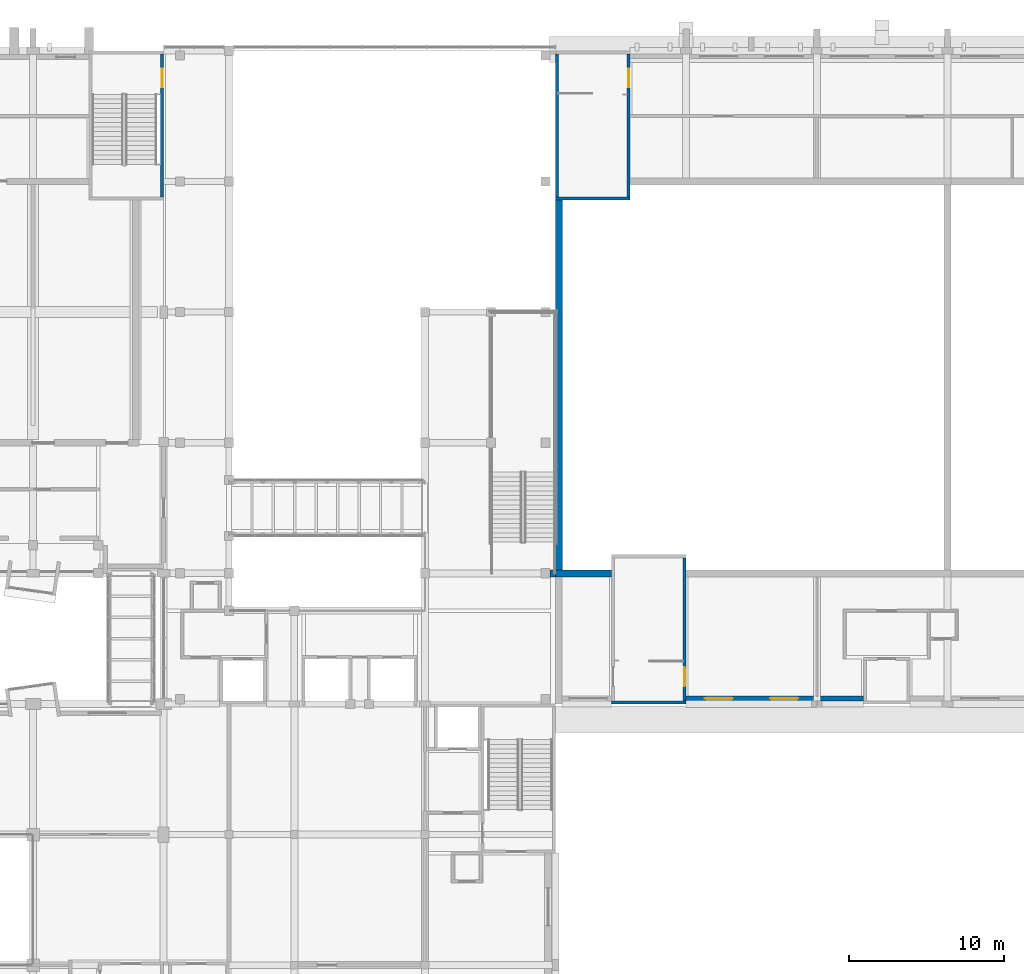
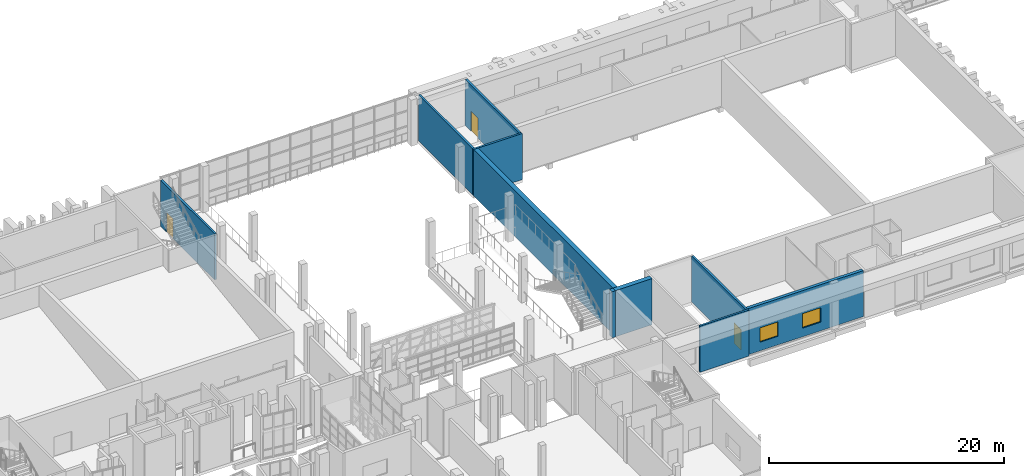
# One storey, part 46 of 86: 10 walls, 3 doors, 2 windows, 5 openings.
"""IFC4 building model written with IfcOpenShell, lengths in metres."""

from ifc_helpers import new_model, si_unit, direction, frame, frame_2d, origin, place, context, subcontext, project, spatial, rectangle, extrude, material, layer, layer_set, type_object, element, fill, save


model = new_model("IFC4")

# Units and contexts
model_context = context("Model", 3, precision=1e-05, world=origin(), true_north=direction((0.0, 1.0)))
body_context = subcontext(model_context, "Body", "Model", "MODEL_VIEW")
ifc_project = project(units=[si_unit("LENGTHUNIT", "METRE"), si_unit("AREAUNIT", "SQUARE_METRE"), si_unit("VOLUMEUNIT", "CUBIC_METRE"), si_unit("PLANEANGLEUNIT", "RADIAN"), si_unit("MASSUNIT", "GRAM", prefix="KILO")], contexts=[model_context])

# Site, building, storey
site_placement = place(None, origin())
site = spatial("IfcSite", under=ifc_project, at=site_placement, CompositionType="ELEMENT")
building_placement = place(site_placement, origin())
building = spatial("IfcBuilding", under=site, at=building_placement, Name="Kiln Court Media Centre", CompositionType="ELEMENT")
storey_placement = place(building_placement, frame((0.0, 0.0, 10.199951171875)))
storey = spatial("IfcBuildingStorey", under=building, at=storey_placement, Name="L02", CompositionType="ELEMENT", Elevation=10.199951171875)

# Walls
ifc_material_1 = material(Name="Concrete C40/50", Category="concrete")
ifc_layer_1 = layer(ifc_material_1, 0.35009765625)
ifc_layer_set_1 = layer_set([ifc_layer_1], Name="Concrete C40/50 auditorium wall 350")
wall_type_1 = type_object("IfcWallType", Name="Concrete C40/50 auditorium wall 350", PredefinedType="SHEAR", material=ifc_layer_set_1)
wall_1_placement = place(storey_placement, frame((58.625, 33.375, 0.0), z_axis=(0.0, 0.0, 1.0), x_axis=(0.0, 1.0, 0.0)))
element("IfcWall", 1, at=wall_1_placement, inside=storey, type_object=wall_type_1, Name="L02-W-1153", PredefinedType="SHEAR", context=body_context, shape_type="SweptSolid", body=[
    extrude(rectangle(XDim=0.449951171875, YDim=0.35009765625, at=frame_2d((0.22509765625, 0.0))), origin(), (0.0, 0.0, 1.0), 4.800048828125),
])
ifc_material_2 = material(Name="Concrete C40/50", Category="concrete")
ifc_layer_2 = layer(ifc_material_2, 0.449951171875)
ifc_layer_set_2 = layer_set([ifc_layer_2], Name="Concrete C40/50 auditorium wall 450")
wall_type_2 = type_object("IfcWallType", Name="Concrete C40/50 auditorium wall 450", PredefinedType="SHEAR", material=ifc_layer_set_2)
wall_2_placement = place(storey_placement, frame((62.39990234375, 33.60009765625, 0.0), z_axis=(0.0, 0.0, 1.0), x_axis=(-1.0, 0.0, 0.0)))
element("IfcWall", 2, at=wall_2_placement, inside=storey, type_object=wall_type_2, Name="L02-W-1110", PredefinedType="SHEAR", context=body_context, shape_type="SweptSolid", body=[
    extrude(rectangle(XDim=3.599853515625, YDim=0.449951171875, at=frame_2d((1.7998046875, 0.0))), origin(), (0.0, 0.0, 1.0), 4.800048828125),
])
wall_3_placement = place(storey_placement, frame((59.02490234375, 33.824951171875, 0.0), z_axis=(0.0, 0.0, 1.0), x_axis=(0.0, 1.0, 0.0)))
element("IfcWall", 3, at=wall_3_placement, inside=storey, type_object=wall_type_2, Name="L02-W-1113", PredefinedType="SHEAR", context=body_context, shape_type="SweptSolid", body=[
    extrude(rectangle(XDim=23.775146484375, YDim=0.449951171875, at=frame_2d((11.8876953125, 0.0))), origin(), (0.0, 0.0, 1.0), 4.800048828125),
])

# Wall, openings, windows
ifc_material_3 = material(Name="Concrete C40/50", Category="concrete")
ifc_layer_3 = layer(ifc_material_3, 0.300048828125)
ifc_layer_set_3 = layer_set([ifc_layer_3], Name="Concrete C40/50 board-marked facade wall 300")
wall_type_3 = type_object("IfcWallType", Name="Concrete C40/50 board-marked facade wall 300", PredefinedType="SOLIDWALL", material=ifc_layer_set_3)
wall_4_placement = place(storey_placement, frame((78.60009765625, 25.550048828125, 0.0), z_axis=(0.0, 0.0, 1.0), x_axis=(-1.0, 0.0, 0.0)))
wall_4 = element("IfcWall", 4, at=wall_4_placement, inside=storey, type_object=wall_type_3, Name="V1 S facade wall 4001", PredefinedType="SOLIDWALL", context=body_context, shape_type="SweptSolid", body=[
    extrude(rectangle(XDim=11.400146484375, YDim=0.300048828125, at=frame_2d((5.7001953125, 0.0))), origin(), (0.0, 0.0, 1.0), 4.800048828125),
])
opening_1_placement = place(wall_4_placement, frame((8.39990234375, 0.0, 0.89990234375)))
opening_1 = element("IfcOpeningElement", 5, at=opening_1_placement, cuts=wall_4, Name="Opening WN2501", PredefinedType="OPENING", context=body_context, shape_type="SweptSolid", body=[
    extrude(rectangle(XDim=1.800048828125, YDim=1.5, at=frame_2d((0.89990234375, 0.75))), frame((0.0, 0.159912109375, 0.0), z_axis=(0.0, -1.0, 0.0), x_axis=(1.0, 0.0, 0.0)), (0.0, 0.0, 1.0), 0.320068359375),
])
opening_2_placement = place(wall_4_placement, frame((4.199951171875, 0.0, 0.89990234375)))
opening_2 = element("IfcOpeningElement", 6, at=opening_2_placement, cuts=wall_4, Name="Opening WN2502", PredefinedType="OPENING", context=body_context, shape_type="SweptSolid", body=[
    extrude(rectangle(XDim=1.800048828125, YDim=1.5, at=frame_2d((0.89990234375, 0.75))), frame((0.0, 0.159912109375, 0.0), z_axis=(0.0, -1.0, 0.0), x_axis=(1.0, 0.0, 0.0)), (0.0, 0.0, 1.0), 0.320068359375),
])
ifc_material_4 = material(Name="Aluminium 6063-T6", Category="aluminium")
window_type = type_object("IfcWindowType", Name="Aluminium lobby window 1800x1500", PartitioningType="DOUBLE_PANEL_VERTICAL", PredefinedType="WINDOW", material=ifc_material_4)
window_1_placement = place(opening_1_placement, origin())
window_1 = element("IfcWindow", 7, at=window_1_placement, inside=storey, type_object=window_type, Name="V1 S admin window", OverallHeight=1.5, OverallWidth=1.800048828125, PartitioningType="SINGLE_PANEL", PredefinedType="WINDOW", context=body_context, shape_type="SweptSolid", body=[
    extrude(rectangle(XDim=1.800048828125, YDim=1.5, at=frame_2d((0.89990234375, 0.75))), frame((0.0, 0.030029296875, 0.0), z_axis=(0.0, -1.0, 0.0), x_axis=(1.0, 0.0, 0.0)), (0.0, 0.0, 1.0), 0.06005859375),
])
fill(opening_1, window_1)
window_2_placement = place(opening_2_placement, origin())
window_2 = element("IfcWindow", 8, at=window_2_placement, inside=storey, type_object=window_type, Name="V1 S admin window", OverallHeight=1.5, OverallWidth=1.800048828125, PartitioningType="SINGLE_PANEL", PredefinedType="WINDOW", context=body_context, shape_type="SweptSolid", body=[
    extrude(rectangle(XDim=1.800048828125, YDim=1.5, at=frame_2d((0.89990234375, 0.75))), frame((0.0, 0.030029296875, 0.0), z_axis=(0.0, -1.0, 0.0), x_axis=(1.0, 0.0, 0.0)), (0.0, 0.0, 1.0), 0.06005859375),
])
fill(opening_2, window_2)

# Wall, opening, door
ifc_material_5 = material(Name="Concrete C40/50", Category="concrete")
ifc_layer_4 = layer(ifc_material_5, 0.199951171875)
ifc_layer_set_4 = layer_set([ifc_layer_4], Name="Concrete C40/50 shear wall 200")
wall_type_4 = type_object("IfcWallType", Name="Concrete C40/50 shear wall 200", PredefinedType="SHEAR", material=ifc_layer_set_4)
wall_5_placement = place(storey_placement, frame((33.5, 67.0, 0.0), z_axis=(0.0, 0.0, 1.0), x_axis=(0.0, -1.0, 0.0)))
wall_5 = element("IfcWall", 9, at=wall_5_placement, inside=storey, type_object=wall_type_4, Name="L02-W-1031", PredefinedType="SHEAR", context=body_context, shape_type="SweptSolid", body=[
    extrude(rectangle(XDim=9.199951171875, YDim=0.199951171875, at=frame_2d((4.60009765625, 0.0))), origin(), (0.0, 0.0, 1.0), 4.800048828125),
])
opening_3_placement = place(wall_5_placement, frame((0.949951171875, 0.0, 0.0)))
opening_3 = element("IfcOpeningElement", 10, at=opening_3_placement, cuts=wall_5, Name="Opening D2010", PredefinedType="OPENING", context=body_context, shape_type="SweptSolid", body=[
    extrude(rectangle(XDim=1.199951171875, YDim=2.10009765625, at=frame_2d((0.60009765625, 1.050048828125))), frame((0.0, 0.10986328125, 0.0), z_axis=(0.0, -1.0, 0.0), x_axis=(1.0, 0.0, 0.0)), (0.0, 0.0, 1.0), 0.219970703125),
])
ifc_material_6 = material(Name="Steel S275", Category="steel")
door_type = type_object("IfcDoorType", Name="Steel stair door 1200 x 2100 FD180", OperationType="SINGLE_SWING_LEFT", PredefinedType="DOOR", material=ifc_material_6)
door_1_placement = place(opening_3_placement, origin())
door_1 = element("IfcDoor", 11, at=door_1_placement, inside=storey, type_object=door_type, Name="West Gallery / Stair 8", OperationType="SINGLE_SWING_RIGHT", OverallHeight=2.10009765625, OverallWidth=1.199951171875, PredefinedType="DOOR", context=body_context, shape_type="SweptSolid", body=[
    extrude(rectangle(XDim=1.199951171875, YDim=2.10009765625, at=frame_2d((0.60009765625, 1.050048828125))), frame((0.0, 0.02490234375, 0.0), z_axis=(0.0, -1.0, 0.0), x_axis=(1.0, 0.0, 0.0)), (0.0, 0.0, 1.0), 0.050048828125),
])
fill(opening_3, door_1)

# Wall
wall_6_placement = place(storey_placement, frame((67.199951171875, 25.300048828125, 0.0), z_axis=(0.0, 0.0, 1.0), x_axis=(-1.0, 0.0, 0.0)))
element("IfcWall", 12, at=wall_6_placement, inside=storey, type_object=wall_type_4, Name="L02-W-1032", PredefinedType="SHEAR", context=body_context, shape_type="SweptSolid", body=[
    extrude(rectangle(XDim=4.800048828125, YDim=0.199951171875, at=frame_2d((2.39990234375, 0.0))), origin(), (0.0, 0.0, 1.0), 4.800048828125),
])

# Wall, opening, door
wall_7_placement = place(storey_placement, frame((67.10009765625, 34.60009765625, 0.0), z_axis=(0.0, 0.0, 1.0), x_axis=(0.0, -1.0, 0.0)))
wall_7 = element("IfcWall", 13, at=wall_7_placement, inside=storey, type_object=wall_type_4, Name="L02-W-1035", PredefinedType="SHEAR", context=body_context, shape_type="SweptSolid", body=[
    extrude(rectangle(XDim=9.2001953125, YDim=0.199951171875, at=frame_2d((4.60009765625, 0.0))), origin(), (0.0, 0.0, 1.0), 4.800048828125),
])
opening_4_placement = place(wall_7_placement, frame((7.050048828125, 0.0, 0.0)))
opening_4 = element("IfcOpeningElement", 14, at=opening_4_placement, cuts=wall_7, Name="Opening D2002", PredefinedType="OPENING", context=body_context, shape_type="SweptSolid", body=[
    extrude(rectangle(XDim=1.199951171875, YDim=2.10009765625, at=frame_2d((0.60009765625, 1.050048828125))), frame((0.0, 0.10986328125, 0.0), z_axis=(0.0, -1.0, 0.0), x_axis=(1.0, 0.0, 0.0)), (0.0, 0.0, 1.0), 0.219970703125),
])
door_2_placement = place(opening_4_placement, origin())
door_2 = element("IfcDoor", 15, at=door_2_placement, inside=storey, type_object=door_type, Name="Stair 9 / Cinema Administration", OperationType="SINGLE_SWING_LEFT", OverallHeight=2.10009765625, OverallWidth=1.199951171875, PredefinedType="DOOR", context=body_context, shape_type="SweptSolid", body=[
    extrude(rectangle(XDim=1.199951171875, YDim=2.10009765625, at=frame_2d((0.60009765625, 1.050048828125))), frame((0.0, 0.02490234375, 0.0), z_axis=(0.0, -1.0, 0.0), x_axis=(1.0, 0.0, 0.0)), (0.0, 0.0, 1.0), 0.050048828125),
])
fill(opening_4, door_2)

# Walls
wall_8_placement = place(storey_placement, frame((63.60009765625, 57.699951171875, 0.0), z_axis=(0.0, 0.0, 1.0), x_axis=(-1.0, 0.0, 0.0)))
element("IfcWall", 16, at=wall_8_placement, inside=storey, type_object=wall_type_4, Name="L02-W-1040", PredefinedType="SHEAR", context=body_context, shape_type="SweptSolid", body=[
    extrude(rectangle(XDim=4.800048828125, YDim=0.199951171875, at=frame_2d((2.39990234375, 0.0))), origin(), (0.0, 0.0, 1.0), 4.800048828125),
])
wall_9_placement = place(storey_placement, frame((58.89990234375, 57.800048828125, 0.0), z_axis=(0.0, 0.0, 1.0), x_axis=(0.0, 1.0, 0.0)))
element("IfcWall", 17, at=wall_9_placement, inside=storey, type_object=wall_type_4, Name="L02-W-1042", PredefinedType="SHEAR", context=body_context, shape_type="SweptSolid", body=[
    extrude(rectangle(XDim=9.199951171875, YDim=0.199951171875, at=frame_2d((4.60009765625, 0.0))), origin(), (0.0, 0.0, 1.0), 4.800048828125),
])

# Wall, opening, door
wall_10_placement = place(storey_placement, frame((63.5, 67.0, 0.0), z_axis=(0.0, 0.0, 1.0), x_axis=(0.0, -1.0, 0.0)))
wall_10 = element("IfcWall", 18, at=wall_10_placement, inside=storey, type_object=wall_type_4, Name="L02-W-1043", PredefinedType="SHEAR", context=body_context, shape_type="SweptSolid", body=[
    extrude(rectangle(XDim=9.199951171875, YDim=0.199951171875, at=frame_2d((4.60009765625, 0.0))), origin(), (0.0, 0.0, 1.0), 4.800048828125),
])
opening_5_placement = place(wall_10_placement, frame((0.949951171875, 0.0, 0.0)))
opening_5 = element("IfcOpeningElement", 19, at=opening_5_placement, cuts=wall_10, Name="Opening D2004", PredefinedType="OPENING", context=body_context, shape_type="SweptSolid", body=[
    extrude(rectangle(XDim=1.199951171875, YDim=2.10009765625, at=frame_2d((0.60009765625, 1.050048828125))), frame((0.0, 0.10986328125, 0.0), z_axis=(0.0, -1.0, 0.0), x_axis=(1.0, 0.0, 0.0)), (0.0, 0.0, 1.0), 0.219970703125),
])
door_3_placement = place(opening_5_placement, origin())
door_3 = element("IfcDoor", 20, at=door_3_placement, inside=storey, type_object=door_type, Name="Stair 11 / Rear Gallery", OperationType="SINGLE_SWING_RIGHT", OverallHeight=2.10009765625, OverallWidth=1.199951171875, PredefinedType="DOOR", context=body_context, shape_type="SweptSolid", body=[
    extrude(rectangle(XDim=1.199951171875, YDim=2.10009765625, at=frame_2d((0.60009765625, 1.050048828125))), frame((0.0, 0.02490234375, 0.0), z_axis=(0.0, -1.0, 0.0), x_axis=(1.0, 0.0, 0.0)), (0.0, 0.0, 1.0), 0.050048828125),
])
fill(opening_5, door_3)

save(model, "model.ifc")
